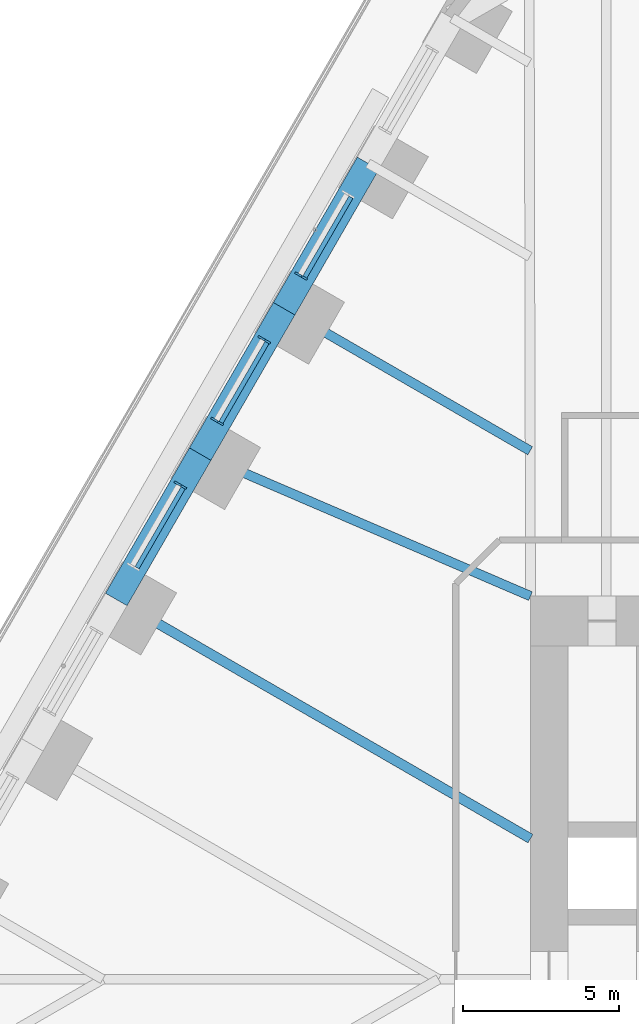
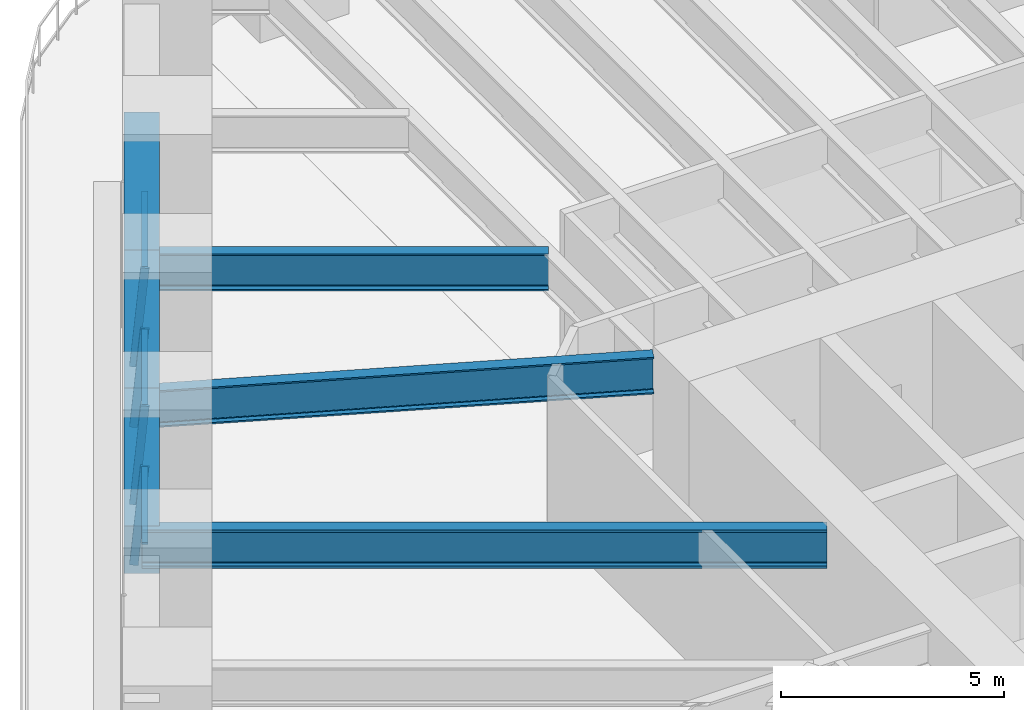
# One storey, part 8 of 23: 7 members, 6 beams, 3 elements without a shape of their own.
"""IFC4 building model written with IfcOpenShell, lengths in metres."""

from ifc_helpers import new_model, si_unit, direction, frame, origin, origin_2d, place, context, subcontext, project, spatial, rectangle, i_section, extrude, material, material_profile, profile_set, type_object, element, aggregate, save


model = new_model("IFC4")

# Units and contexts
model_context = context("Model", 3, precision=1e-05, world=origin(), true_north=direction((0.0, 1.0)))
body_context = subcontext(model_context, "Body", "Model", "MODEL_VIEW")
ifc_project = project(units=[si_unit("LENGTHUNIT", "METRE"), si_unit("AREAUNIT", "SQUARE_METRE"), si_unit("VOLUMEUNIT", "CUBIC_METRE"), si_unit("PLANEANGLEUNIT", "RADIAN"), si_unit("MASSUNIT", "GRAM", prefix="KILO")], contexts=[model_context])

# Site, building, storey
site_placement = place(None, origin())
site = spatial("IfcSite", under=ifc_project, at=site_placement, CompositionType="ELEMENT")
building_placement = place(site_placement, origin())
building = spatial("IfcBuilding", under=site, at=building_placement, Name="Tarfa Lantern Tower", CompositionType="ELEMENT")
storey_placement = place(building_placement, frame((0.0, 0.0, 27.699951171875)))
storey = spatial("IfcBuildingStorey", under=building, at=storey_placement, Name="L05", CompositionType="ELEMENT", Elevation=27.699951171875)

# Curtain wall, member
ifc_material_1 = material(Name="Aluminium framed curtain wall", Category="aluminium")
curtain_wall_type = type_object("IfcCurtainWallType", Name="CW1 CANTED GLAZING LOW ZONE 2700", PredefinedType="USERDEFINED", material=ifc_material_1)
curtain_wall_1_placement = place(storey_placement, origin())
curtain_wall_1 = element("IfcCurtainWall", 1, at=curtain_wall_1_placement, inside=storey, type_object=curtain_wall_type, Name="CW1 NW L05", ObjectType="CURTAIN WALL", PredefinedType="USERDEFINED")
ifc_material_2 = material(Name="Aluminium mullion", Category="aluminium")
ifc_material_profile_1 = material_profile(ifc_material_2, rectangle(XDim=0.06494140625, YDim=0.199951171875, at=origin_2d()), Name="AL MULLION 65x200")
ifc_profile_set_1 = profile_set([ifc_material_profile_1], Name="Aluminium mullion")
member_type_1 = type_object("IfcMemberType", Name="CWM1 MULLION 65x200", PredefinedType="MULLION", material=ifc_profile_set_1)
member_1_placement = place(storey_placement, frame((-26.07275390625, 22.640625, 0.0), z_axis=(0.07986442134, -0.046099868913, 0.99573916077), x_axis=(0.499919672301, 0.866071776036, 0.0)))
member_1 = element("IfcMember", 2, at=member_1_placement, type_object=member_type_1, Name="CW1 mullion 2", PredefinedType="MULLION", context=body_context, shape_type="SweptSolid", body=[
    extrude(rectangle(XDim=0.06494140625, YDim=0.199951171875, at=origin_2d()), origin(), (0.0, 0.0, 1.0), 2.71142578125),
])

# Curtain wall, members
curtain_wall_2_placement = place(storey_placement, origin())
curtain_wall_2 = element("IfcCurtainWall", 3, at=curtain_wall_2_placement, inside=storey, type_object=curtain_wall_type, Name="CW1 NW L05", ObjectType="CURTAIN WALL", PredefinedType="USERDEFINED")
member_2_placement = place(storey_placement, frame((-27.255126953125, 20.592529296875, 0.0), z_axis=(0.079774955866, -0.04610020023, 0.995746317068), x_axis=(0.500342721131, 0.865827443207, 0.0)))
member_2 = element("IfcMember", 4, at=member_2_placement, type_object=member_type_1, Name="CW1 mullion 1", PredefinedType="MULLION", context=body_context, shape_type="SweptSolid", body=[
    extrude(rectangle(XDim=0.06494140625, YDim=0.199951171875, at=origin_2d()), origin(), (0.0, 0.0, 1.0), 2.71142578125),
])
member_3_placement = place(storey_placement, frame((-28.76708984375, 17.97412109375, 0.0), z_axis=(0.07986442134, -0.046099868913, 0.99573916077), x_axis=(0.499919672301, 0.866071776036, 0.0)))
member_3 = element("IfcMember", 5, at=member_3_placement, type_object=member_type_1, Name="CW1 mullion 2", PredefinedType="MULLION", context=body_context, shape_type="SweptSolid", body=[
    extrude(rectangle(XDim=0.06494140625, YDim=0.199951171875, at=origin_2d()), origin(), (0.0, 0.0, 1.0), 2.71142578125),
])

# Curtain wall, member
curtain_wall_3_placement = place(storey_placement, origin())
curtain_wall_3 = element("IfcCurtainWall", 6, at=curtain_wall_3_placement, inside=storey, type_object=curtain_wall_type, Name="CW1 NW L05", ObjectType="CURTAIN WALL", PredefinedType="USERDEFINED")
member_4_placement = place(storey_placement, frame((-29.949462890625, 15.926025390625, 0.0), z_axis=(0.07986442134, -0.046099868913, 0.99573916077), x_axis=(0.499919672301, 0.866071776036, 0.0)))
member_4 = element("IfcMember", 7, at=member_4_placement, type_object=member_type_1, Name="CW1 mullion 1", PredefinedType="MULLION", context=body_context, shape_type="SweptSolid", body=[
    extrude(rectangle(XDim=0.06494140625, YDim=0.199951171875, at=origin_2d()), origin(), (0.0, 0.0, 1.0), 2.71142578125),
])

# Member
ifc_material_3 = material(Name="Aluminium transom", Category="aluminium")
ifc_material_profile_2 = material_profile(ifc_material_3, rectangle(XDim=0.14990234375, YDim=0.06494140625, at=origin_2d()), Name="AL TRANSOM 150x65")
ifc_profile_set_2 = profile_set([ifc_material_profile_2], Name="Aluminium transom")
member_type_2 = type_object("IfcMemberType", Name="CWT1 TRANSOM 150x65", PredefinedType="USERDEFINED", material=ifc_profile_set_2)
member_5_placement = place(storey_placement, frame((-24.36328125, 25.107666015625, 2.66748046875), z_axis=(-0.499981985492, -0.866035804215, 0.0), x_axis=(0.866035804215, -0.499981985492, 0.0)))
member_5 = element("IfcMember", 8, at=member_5_placement, type_object=member_type_2, Name="CW1 transom 1.2", ObjectType="TRANSOM", PredefinedType="USERDEFINED", context=body_context, shape_type="SweptSolid", body=[
    extrude(rectangle(XDim=0.14990234375, YDim=0.06494140625, at=origin_2d()), origin(), (0.0, 0.0, 1.0), 2.95849609375),
])

aggregate(curtain_wall_1, [member_1, member_5])

member_6_placement = place(storey_placement, frame((-27.0576171875, 20.44091796875, 2.66748046875), z_axis=(-0.499981985492, -0.866035804215, 0.0), x_axis=(0.866035804215, -0.499981985492, 0.0)))
member_6 = element("IfcMember", 9, at=member_6_placement, type_object=member_type_2, Name="CW1 transom 1.2", ObjectType="TRANSOM", PredefinedType="USERDEFINED", context=body_context, shape_type="SweptSolid", body=[
    extrude(rectangle(XDim=0.14990234375, YDim=0.06494140625, at=origin_2d()), origin(), (0.0, 0.0, 1.0), 2.95849609375),
])

aggregate(curtain_wall_2, [member_2, member_3, member_6])

member_7_placement = place(storey_placement, frame((-29.751953125, 15.774169921875, 2.66748046875), z_axis=(-0.500017718492, -0.866015173767, 0.0), x_axis=(0.866015173767, -0.500017718492, 0.0)))
member_7 = element("IfcMember", 10, at=member_7_placement, type_object=member_type_2, Name="CW1 transom 1.2", ObjectType="TRANSOM", PredefinedType="USERDEFINED", context=body_context, shape_type="SweptSolid", body=[
    extrude(rectangle(XDim=0.14990234375, YDim=0.06494140625, at=origin_2d()), origin(), (0.0, 0.0, 1.0), 2.95849609375),
])

aggregate(curtain_wall_3, [member_4, member_7])

# Beams
ifc_material_4 = material(Name="Concrete C80/95", Category="concrete")
ifc_material_profile_3 = material_profile(ifc_material_4, rectangle(XDim=0.800048828125, YDim=1.300048828125, at=origin_2d()), Name="RC 800x1300")
ifc_profile_set_3 = profile_set([ifc_material_profile_3], Name="Concrete C80/95")
beam_type_1 = type_object("IfcBeamType", Name="EB1 RC 800x1300", PredefinedType="SPANDREL", material=ifc_profile_set_3)
beam_1_placement = place(storey_placement, frame((-23.813720703125, 26.193359375, 3.35009765625), z_axis=(-0.499998287579, -0.866026392449, 0.0), x_axis=(0.866026392449, -0.499998287579, 0.0)))
element("IfcBeam", 11, at=beam_1_placement, inside=storey, type_object=beam_type_1, Name="Edge beam NW1", PredefinedType="SPANDREL", context=body_context, shape_type="SweptSolid", body=[
    extrude(rectangle(XDim=0.800048828125, YDim=1.300048828125, at=origin_2d()), origin(), (0.0, 0.0, 1.0), 5.388671875),
])
beam_2_placement = place(storey_placement, frame((-26.508056640625, 21.526611328125, 3.35009765625), z_axis=(-0.500017906299, -0.866015065331, 0.0), x_axis=(0.866015065331, -0.500017906299, 0.0)))
element("IfcBeam", 12, at=beam_2_placement, inside=storey, type_object=beam_type_1, Name="Edge beam NW2", PredefinedType="SPANDREL", context=body_context, shape_type="SweptSolid", body=[
    extrude(rectangle(XDim=0.800048828125, YDim=1.300048828125, at=origin_2d()), origin(), (0.0, 0.0, 1.0), 5.388427734375),
])
beam_3_placement = place(storey_placement, frame((-29.202392578125, 16.860107421875, 3.35009765625), z_axis=(-0.499998287579, -0.866026392449, 0.0), x_axis=(0.866026392449, -0.499998287579, 0.0)))
element("IfcBeam", 13, at=beam_3_placement, inside=storey, type_object=beam_type_1, Name="Edge beam NW3", PredefinedType="SPANDREL", context=body_context, shape_type="SweptSolid", body=[
    extrude(rectangle(XDim=0.800048828125, YDim=1.300048828125, at=origin_2d()), origin(), (0.0, 0.0, 1.0), 5.388671875),
])
ifc_material_5 = material(Name="Steel S460M", Category="steel")
ifc_material_profile_4 = material_profile(ifc_material_5, i_section(OverallWidth=0.302001953125, OverallDepth=1.008056640625, WebThickness=0.02099609375, FlangeThickness=0.0400390625, FilletRadius=0.030029296875, at=origin_2d()), Name="UB1016x305x349")
ifc_profile_set_4 = profile_set([ifc_material_profile_4], Name="Steel S460M")
beam_type_2 = type_object("IfcBeamType", Name="UB1016x305x349", PredefinedType="BEAM", material=ifc_profile_set_4)
beam_4_placement = place(storey_placement, frame((-26.508056640625, 21.526611328125, 3.49609375), z_axis=(0.866035355799, -0.49998276221, 0.0), x_axis=(0.49998276221, 0.866035355799, 0.0)))
element("IfcBeam", 14, at=beam_4_placement, inside=storey, type_object=beam_type_2, Name="Floor beam NW2", PredefinedType="BEAM", context=body_context, shape_type="SweptSolid", body=[
    extrude(i_section(OverallWidth=0.302001953125, OverallDepth=1.008056640625, WebThickness=0.02099609375, FlangeThickness=0.0400390625, FilletRadius=0.030029296875, at=origin_2d()), origin(), (0.0, 0.0, 1.0), 9.119873046875),
])
beam_5_placement = place(storey_placement, frame((-29.202392578125, 16.860107421875, 3.49609375), z_axis=(0.918635483867, -0.395106122175, 0.0), x_axis=(0.395106122175, 0.918635483867, 0.0)))
element("IfcBeam", 15, at=beam_5_placement, inside=storey, type_object=beam_type_2, Name="Floor beam NW3", PredefinedType="BEAM", context=body_context, shape_type="SweptSolid", body=[
    extrude(i_section(OverallWidth=0.302001953125, OverallDepth=1.008056640625, WebThickness=0.02099609375, FlangeThickness=0.0400390625, FilletRadius=0.030029296875, at=origin_2d()), origin(), (0.0, 0.0, 1.0), 11.541259765625),
])
ifc_material_profile_5 = material_profile(ifc_material_5, i_section(OverallWidth=0.314208984375, OverallDepth=1.055908203125, WebThickness=0.035888671875, FlangeThickness=0.06396484375, FilletRadius=0.030029296875, at=origin_2d()), Name="UB1016x305x584")
ifc_profile_set_5 = profile_set([ifc_material_profile_5], Name="Steel S460M")
beam_type_3 = type_object("IfcBeamType", Name="UB1016x305x584", PredefinedType="BEAM", material=ifc_profile_set_5)
beam_6_placement = place(storey_placement, frame((-31.896728515625, 12.193359375, 3.47216796875), z_axis=(0.866026971665, -0.499997284341, 0.0), x_axis=(0.499997284341, 0.866026971665, 0.0)))
element("IfcBeam", 16, at=beam_6_placement, inside=storey, type_object=beam_type_3, Name="Floor beam NW4", PredefinedType="BEAM", context=body_context, shape_type="SweptSolid", body=[
    extrude(i_section(OverallWidth=0.314208984375, OverallDepth=1.055908203125, WebThickness=0.035888671875, FlangeThickness=0.06396484375, FilletRadius=0.030029296875, at=origin_2d()), origin(), (0.0, 0.0, 1.0), 15.353515625),
])

save(model, "model.ifc")
